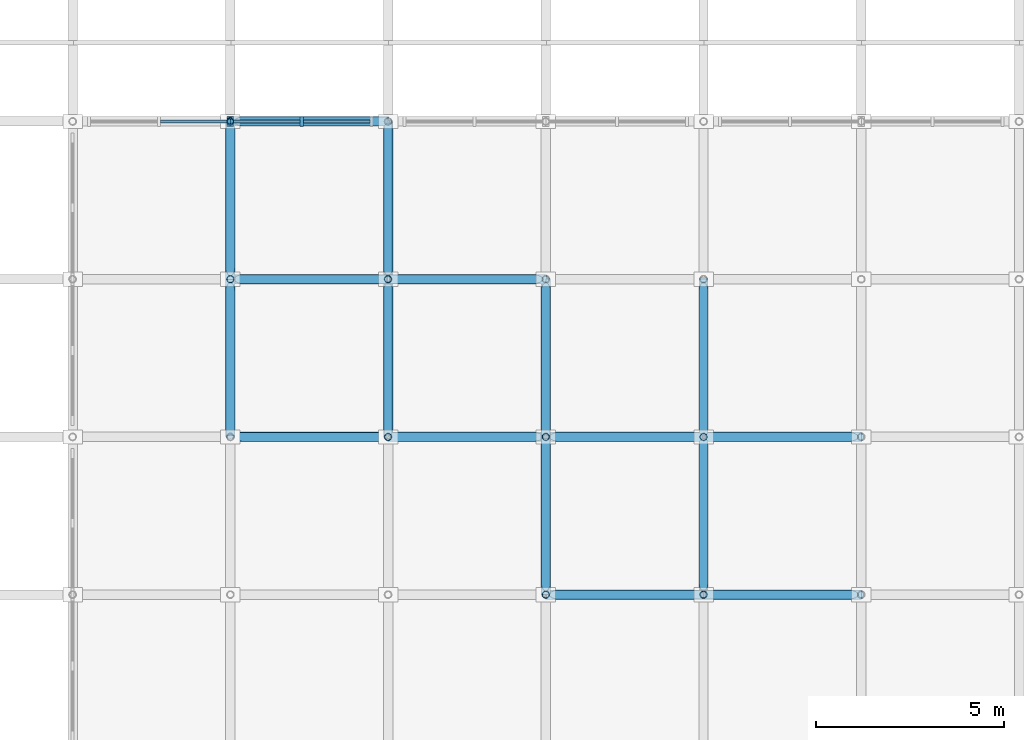
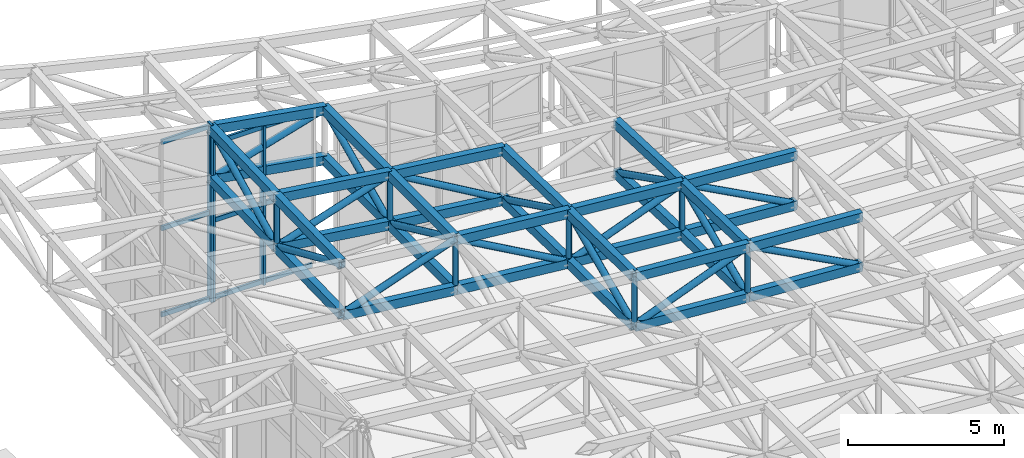
# One storey, part 33 of 111: 70 members, 2 elements without a shape of their own.
"""IFC4 building model written with IfcOpenShell, lengths in metres."""

from ifc_helpers import new_model, si_unit, direction, frame, origin, origin_2d, place, context, subcontext, project, spatial, rectangle, hollow_rectangle, hollow_circle, extrude, material, material_profile, profile_set, type_object, element, aggregate, save


model = new_model("IFC4")

# Units and contexts
model_context = context("Model", 3, precision=1e-05, world=origin(), true_north=direction((0.0, 1.0)))
body_context = subcontext(model_context, "Body", "Model", "MODEL_VIEW")
ifc_project = project(units=[si_unit("LENGTHUNIT", "METRE"), si_unit("AREAUNIT", "SQUARE_METRE"), si_unit("VOLUMEUNIT", "CUBIC_METRE"), si_unit("PLANEANGLEUNIT", "RADIAN"), si_unit("MASSUNIT", "GRAM", prefix="KILO")], contexts=[model_context])

# Site, building, storey
site_placement = place(None, origin())
site = spatial("IfcSite", under=ifc_project, at=site_placement, CompositionType="ELEMENT")
building_placement = place(site_placement, origin())
building = spatial("IfcBuilding", under=site, at=building_placement, Name="Cumbredor Promenade Congress Hotel", CompositionType="ELEMENT")
storey_placement = place(building_placement, frame((0.0, 0.0, 15.1201171875)))
storey = spatial("IfcBuildingStorey", under=building, at=storey_placement, Name="L04", CompositionType="ELEMENT", Elevation=15.1201171875)

# Curtain wall, member
ifc_material_1 = material(Name="Thermally broken anodized aluminium and low-E glass", Category="aluminium")
curtain_wall_type = type_object("IfcCurtainWallType", Name="Stepped Pavilion Clerestory Curtain Wall CW-06", PredefinedType="NOTDEFINED", material=ifc_material_1)
curtain_wall_1_placement = place(storey_placement, origin())
curtain_wall_1 = element("IfcCurtainWall", 1, at=curtain_wall_1_placement, inside=storey, type_object=curtain_wall_type, Name="Pre-Function and Breakout Meeting Forum N Glazed Clerestory 1", PredefinedType="NOTDEFINED")
ifc_material_2 = material(Name="Thermally broken anodized aluminium", Category="aluminium")
ifc_material_profile_1 = material_profile(ifc_material_2, rectangle(XDim=0.0849609375, YDim=0.260009765625, at=origin_2d()), Name="ALU MULLION CLERESTORY 85x260")
ifc_profile_set_1 = profile_set([ifc_material_profile_1], Name="Thermally broken anodized aluminium")
member_type_1 = type_object("IfcMemberType", Name="Curtain Wall Mullion ML-04", PredefinedType="MULLION", material=ifc_profile_set_1)
member_1_placement = place(storey_placement, frame((96.56005859375, 117.60009765625, -0.01806640625), z_axis=(0.0, 0.0, 1.0), x_axis=(1.0, 0.0, 0.0)))
member_1 = element("IfcMember", 2, at=member_1_placement, type_object=member_type_1, Name="Pre-Function and Breakout Meeting Forum N Glazed Clerestory 1 Mullion 3", PredefinedType="MULLION", context=body_context, shape_type="SweptSolid", body=[
    extrude(rectangle(XDim=0.0849609375, YDim=0.260009765625, at=origin_2d()), origin(), (0.0, 0.0, 1.0), 6.959228515625),
])

# Curtain wall, members
curtain_wall_2_placement = place(storey_placement, origin())
curtain_wall_2 = element("IfcCurtainWall", 3, at=curtain_wall_2_placement, inside=storey, type_object=curtain_wall_type, Name="Pre-Function and Breakout Meeting Forum N Glazed Clerestory 2", PredefinedType="NOTDEFINED")
member_2_placement = place(storey_placement, frame((96.639892578125, 117.60009765625, -0.01806640625), z_axis=(0.0, 0.0, 1.0), x_axis=(1.0, 0.0, 0.0)))
member_2 = element("IfcMember", 4, at=member_2_placement, type_object=member_type_1, Name="Pre-Function and Breakout Meeting Forum N Glazed Clerestory 2 Mullion 1", PredefinedType="MULLION", context=body_context, shape_type="SweptSolid", body=[
    extrude(rectangle(XDim=0.0849609375, YDim=0.260009765625, at=origin_2d()), origin(), (0.0, 0.0, 1.0), 6.243896484375),
])
member_3_placement = place(storey_placement, frame((98.5, 117.60009765625, -0.01806640625), z_axis=(0.0, 0.0, 1.0), x_axis=(1.0, 0.0, 0.0)))
member_3 = element("IfcMember", 5, at=member_3_placement, type_object=member_type_1, Name="Pre-Function and Breakout Meeting Forum N Glazed Clerestory 2 Mullion 2", PredefinedType="MULLION", context=body_context, shape_type="SweptSolid", body=[
    extrude(rectangle(XDim=0.0849609375, YDim=0.260009765625, at=origin_2d()), origin(), (0.0, 0.0, 1.0), 6.243896484375),
])

# Member
ifc_material_profile_2 = material_profile(ifc_material_2, rectangle(XDim=0.080078125, YDim=0.179931640625, at=origin_2d()), Name="ALU TRANSOM 80x180")
ifc_profile_set_2 = profile_set([ifc_material_profile_2], Name="Thermally broken anodized aluminium")
member_type_2 = type_object("IfcMemberType", Name="Curtain Wall Transom TR-03", PredefinedType="USERDEFINED", material=ifc_profile_set_2)
member_4_placement = place(storey_placement, frame((94.742431640625, 117.60009765625, 0.079833984375), z_axis=(1.0, 0.0, 0.0), x_axis=(0.0, 1.0, 0.0)))
member_4 = element("IfcMember", 6, at=member_4_placement, type_object=member_type_2, Name="Pre-Function and Breakout Meeting Forum N Glazed Clerestory 1 Transom 2.1", ObjectType="TRANSOM", PredefinedType="USERDEFINED", context=body_context, shape_type="SweptSolid", body=[
    extrude(rectangle(XDim=0.080078125, YDim=0.179931640625, at=origin_2d()), origin(), (0.0, 0.0, 1.0), 1.775146484375),
])

member_5_placement = place(storey_placement, frame((94.742431640625, 117.60009765625, 3.4599609375), z_axis=(1.0, 0.0, 0.0), x_axis=(0.0, 1.0, 0.0)))
member_5 = element("IfcMember", 7, at=member_5_placement, type_object=member_type_2, Name="Pre-Function and Breakout Meeting Forum N Glazed Clerestory 1 Transom 2.2", ObjectType="TRANSOM", PredefinedType="USERDEFINED", context=body_context, shape_type="SweptSolid", body=[
    extrude(rectangle(XDim=0.080078125, YDim=0.179931640625, at=origin_2d()), origin(), (0.0, 0.0, 1.0), 1.775146484375),
])

member_6_placement = place(storey_placement, frame((94.742431640625, 117.60009765625, 6.83984375), z_axis=(1.0, 0.0, 0.0), x_axis=(0.0, 1.0, 0.0)))
member_6 = element("IfcMember", 8, at=member_6_placement, type_object=member_type_2, Name="Pre-Function and Breakout Meeting Forum N Glazed Clerestory 1 Transom 2.3", ObjectType="TRANSOM", PredefinedType="USERDEFINED", context=body_context, shape_type="SweptSolid", body=[
    extrude(rectangle(XDim=0.080078125, YDim=0.179931640625, at=origin_2d()), origin(), (0.0, 0.0, 1.0), 1.775146484375),
])

aggregate(curtain_wall_1, [member_1, member_4, member_5, member_6])

member_7_placement = place(storey_placement, frame((96.6826171875, 117.60009765625, 0.079833984375), z_axis=(1.0, 0.0, 0.0), x_axis=(0.0, 1.0, 0.0)))
member_7 = element("IfcMember", 9, at=member_7_placement, type_object=member_type_2, Name="Pre-Function and Breakout Meeting Forum N Glazed Clerestory 2 Transom 1.1", ObjectType="TRANSOM", PredefinedType="USERDEFINED", context=body_context, shape_type="SweptSolid", body=[
    extrude(rectangle(XDim=0.080078125, YDim=0.179931640625, at=origin_2d()), origin(), (0.0, 0.0, 1.0), 1.77490234375),
])

member_8_placement = place(storey_placement, frame((96.6826171875, 117.60009765625, 3.10986328125), z_axis=(1.0, 0.0, 0.0), x_axis=(0.0, 1.0, 0.0)))
member_8 = element("IfcMember", 10, at=member_8_placement, type_object=member_type_2, Name="Pre-Function and Breakout Meeting Forum N Glazed Clerestory 2 Transom 1.2", ObjectType="TRANSOM", PredefinedType="USERDEFINED", context=body_context, shape_type="SweptSolid", body=[
    extrude(rectangle(XDim=0.080078125, YDim=0.179931640625, at=origin_2d()), origin(), (0.0, 0.0, 1.0), 1.77490234375),
])

member_9_placement = place(storey_placement, frame((96.6826171875, 117.60009765625, 6.1298828125), z_axis=(1.0, 0.0, 0.0), x_axis=(0.0, 1.0, 0.0)))
member_9 = element("IfcMember", 11, at=member_9_placement, type_object=member_type_2, Name="Pre-Function and Breakout Meeting Forum N Glazed Clerestory 2 Transom 1.3", ObjectType="TRANSOM", PredefinedType="USERDEFINED", context=body_context, shape_type="SweptSolid", body=[
    extrude(rectangle(XDim=0.080078125, YDim=0.179931640625, at=origin_2d()), origin(), (0.0, 0.0, 1.0), 1.77490234375),
])

member_10_placement = place(storey_placement, frame((98.54248046875, 117.60009765625, 0.079833984375), z_axis=(1.0, 0.0, 0.0), x_axis=(0.0, 1.0, 0.0)))
member_10 = element("IfcMember", 12, at=member_10_placement, type_object=member_type_2, Name="Pre-Function and Breakout Meeting Forum N Glazed Clerestory 2 Transom 2.1", ObjectType="TRANSOM", PredefinedType="USERDEFINED", context=body_context, shape_type="SweptSolid", body=[
    extrude(rectangle(XDim=0.080078125, YDim=0.179931640625, at=origin_2d()), origin(), (0.0, 0.0, 1.0), 1.77490234375),
])

member_11_placement = place(storey_placement, frame((98.54248046875, 117.60009765625, 3.10986328125), z_axis=(1.0, 0.0, 0.0), x_axis=(0.0, 1.0, 0.0)))
member_11 = element("IfcMember", 13, at=member_11_placement, type_object=member_type_2, Name="Pre-Function and Breakout Meeting Forum N Glazed Clerestory 2 Transom 2.2", ObjectType="TRANSOM", PredefinedType="USERDEFINED", context=body_context, shape_type="SweptSolid", body=[
    extrude(rectangle(XDim=0.080078125, YDim=0.179931640625, at=origin_2d()), origin(), (0.0, 0.0, 1.0), 1.77490234375),
])

member_12_placement = place(storey_placement, frame((98.54248046875, 117.60009765625, 6.1298828125), z_axis=(1.0, 0.0, 0.0), x_axis=(0.0, 1.0, 0.0)))
member_12 = element("IfcMember", 14, at=member_12_placement, type_object=member_type_2, Name="Pre-Function and Breakout Meeting Forum N Glazed Clerestory 2 Transom 2.3", ObjectType="TRANSOM", PredefinedType="USERDEFINED", context=body_context, shape_type="SweptSolid", body=[
    extrude(rectangle(XDim=0.080078125, YDim=0.179931640625, at=origin_2d()), origin(), (0.0, 0.0, 1.0), 1.77490234375),
])

aggregate(curtain_wall_2, [member_2, member_3, member_7, member_8, member_9, member_10, member_11, member_12])

# Members
ifc_material_3 = material(Name="Steel ASTM A500 Grade C", Category="steel")
ifc_material_profile_3 = material_profile(ifc_material_3, hollow_rectangle(XDim=0.25, YDim=0.35009765625, WallThickness=0.01611328125, at=origin_2d()), Name="HSS 350x250x16")
ifc_profile_set_3 = profile_set([ifc_material_profile_3], Name="Steel ASTM A500 Grade C")
member_type_3 = type_object("IfcMemberType", Name="Forum Roof Truss Chord", PredefinedType="CHORD", material=ifc_profile_set_3)
for number, where, z_axis, x_axis, name in (
    (15, (105.0, 105.0, 5.661865234375), (0.997178629164, 0.0, -0.075065181931), (0.0, 1.0, 0.0), "Pre-Function and Breakout Meeting Forum X Top Chord 5.7"),
    (16, (105.0, 105.0, 3.711669921875), (0.997182966423, 0.0, -0.075007542786), (0.0, 1.0, 0.0), "Pre-Function and Breakout Meeting Forum X Bottom Chord 5.7"),
):
    element("IfcMember", number, at=place(storey_placement, frame(where, z_axis=z_axis, x_axis=x_axis)), inside=storey, type_object=member_type_3, Name=name, PredefinedType="CHORD", context=body_context, shape_type="SweptSolid", body=[
        extrude(hollow_rectangle(XDim=0.25, YDim=0.35009765625, WallThickness=0.01611328125, at=origin_2d()), origin(), (0.0, 0.0, 1.0), 4.2119140625),
    ])
for number, where, z_axis, x_axis, name in (
    (17, (109.199951171875, 105.0, 5.345703125), (0.997980366164, 0.0, -0.063523135555), (0.0, 1.0, 0.0), "Pre-Function and Breakout Meeting Forum X Top Chord 6.7"),
    (18, (109.199951171875, 105.0, 3.395751953125), (0.997980366164, 0.0, -0.063523135555), (0.0, 1.0, 0.0), "Pre-Function and Breakout Meeting Forum X Bottom Chord 6.7"),
):
    element("IfcMember", number, at=place(storey_placement, frame(where, z_axis=z_axis, x_axis=x_axis)), inside=storey, type_object=member_type_3, Name=name, PredefinedType="CHORD", context=body_context, shape_type="SweptSolid", body=[
        extrude(hollow_rectangle(XDim=0.25, YDim=0.35009765625, WallThickness=0.01611328125, at=origin_2d()), origin(), (0.0, 0.0, 1.0), 4.20849609375),
    ])
member_13_placement = place(storey_placement, frame((96.60009765625, 109.199951171875, 4.5498046875), z_axis=(0.993701360609, 0.0, -0.112060724268), x_axis=(0.0, 1.0, 0.0)))
element("IfcMember", 19, at=member_13_placement, inside=storey, type_object=member_type_3, Name="Pre-Function and Breakout Meeting Forum X Bottom Chord 3.8", PredefinedType="CHORD", context=body_context, shape_type="SweptSolid", body=[
    extrude(hollow_rectangle(XDim=0.25, YDim=0.35009765625, WallThickness=0.01611328125, at=origin_2d()), origin(), (0.0, 0.0, 1.0), 4.2265625),
])
for number, where, z_axis, x_axis, name in (
    (20, (100.800048828125, 109.199951171875, 6.0263671875), (0.99507890994, 0.0, -0.099085634641), (0.0, 1.0, 0.0), "Pre-Function and Breakout Meeting Forum X Top Chord 4.8"),
    (21, (100.800048828125, 109.199951171875, 4.076171875), (0.995084611563, 0.0, -0.099028358716), (0.0, 1.0, 0.0), "Pre-Function and Breakout Meeting Forum X Bottom Chord 4.8"),
):
    element("IfcMember", number, at=place(storey_placement, frame(where, z_axis=z_axis, x_axis=x_axis)), inside=storey, type_object=member_type_3, Name=name, PredefinedType="CHORD", context=body_context, shape_type="SweptSolid", body=[
        extrude(hollow_rectangle(XDim=0.25, YDim=0.35009765625, WallThickness=0.01611328125, at=origin_2d()), origin(), (0.0, 0.0, 1.0), 4.220703125),
    ])
for number, where, z_axis, x_axis, name in (
    (22, (105.0, 109.199951171875, 5.608154296875), (0.996294936381, 0.0, -0.086002324044), (0.0, 1.0, 0.0), "Pre-Function and Breakout Meeting Forum X Top Chord 5.8"),
    (23, (105.0, 109.199951171875, 3.658203125), (0.996294936381, 0.0, -0.086002324044), (0.0, 1.0, 0.0), "Pre-Function and Breakout Meeting Forum X Bottom Chord 5.8"),
):
    element("IfcMember", number, at=place(storey_placement, frame(where, z_axis=z_axis, x_axis=x_axis)), inside=storey, type_object=member_type_3, Name=name, PredefinedType="CHORD", context=body_context, shape_type="SweptSolid", body=[
        extrude(hollow_rectangle(XDim=0.25, YDim=0.35009765625, WallThickness=0.01611328125, at=origin_2d()), origin(), (0.0, 0.0, 1.0), 4.215576171875),
    ])
for number, where, z_axis, x_axis, name in (
    (24, (109.199951171875, 109.199951171875, 5.24560546875), (0.997345340249, 0.0, -0.072816703328), (0.0, 1.0, 0.0), "Pre-Function and Breakout Meeting Forum X Top Chord 6.8"),
    (25, (109.199951171875, 109.199951171875, 3.295654296875), (0.997345340249, 0.0, -0.072816703328), (0.0, 1.0, 0.0), "Pre-Function and Breakout Meeting Forum X Bottom Chord 6.8"),
):
    element("IfcMember", number, at=place(storey_placement, frame(where, z_axis=z_axis, x_axis=x_axis)), inside=storey, type_object=member_type_3, Name=name, PredefinedType="CHORD", context=body_context, shape_type="SweptSolid", body=[
        extrude(hollow_rectangle(XDim=0.25, YDim=0.35009765625, WallThickness=0.01611328125, at=origin_2d()), origin(), (0.0, 0.0, 1.0), 4.211181640625),
    ])
for number, where, z_axis, x_axis, name in (
    (26, (96.60009765625, 113.39990234375, 6.60009765625), (0.99078279409, 0.0, -0.135460159955), (0.0, 1.0, 0.0), "Pre-Function and Breakout Meeting Forum X Top Chord 3.9"),
    (27, (96.60009765625, 113.39990234375, 4.650146484375), (0.990775062808, 0.0, -0.135516696087), (0.0, 1.0, 0.0), "Pre-Function and Breakout Meeting Forum X Bottom Chord 3.9"),
):
    element("IfcMember", number, at=place(storey_placement, frame(where, z_axis=z_axis, x_axis=x_axis)), inside=storey, type_object=member_type_3, Name=name, PredefinedType="CHORD", context=body_context, shape_type="SweptSolid", body=[
        extrude(hollow_rectangle(XDim=0.25, YDim=0.35009765625, WallThickness=0.01611328125, at=origin_2d()), origin(), (0.0, 0.0, 1.0), 4.239013671875),
    ])
for number, where, z_axis, x_axis, name in (
    (28, (100.800048828125, 113.39990234375, 6.02587890625), (0.992790285705, 0.0, -0.119864292473), (0.0, 1.0, 0.0), "Pre-Function and Breakout Meeting Forum X Top Chord 4.9"),
    (29, (100.800048828125, 113.39990234375, 4.07568359375), (0.992790285705, 0.0, -0.119864292473), (0.0, 1.0, 0.0), "Pre-Function and Breakout Meeting Forum X Bottom Chord 4.9"),
):
    element("IfcMember", number, at=place(storey_placement, frame(where, z_axis=z_axis, x_axis=x_axis)), inside=storey, type_object=member_type_3, Name=name, PredefinedType="CHORD", context=body_context, shape_type="SweptSolid", body=[
        extrude(hollow_rectangle(XDim=0.25, YDim=0.35009765625, WallThickness=0.01611328125, at=origin_2d()), origin(), (0.0, 0.0, 1.0), 4.23046875),
    ])
for number, where, z_axis, x_axis, name in (
    (30, (96.60009765625, 117.60009765625, 6.740234375), (0.985803819477, 0.0, -0.167901249263), (0.0, 1.0, 0.0), "Pre-Function and Breakout Meeting Forum X Top Chord 3.10"),
    (31, (96.60009765625, 117.60009765625, 4.790283203125), (0.98579433314, 0.0, -0.167956937187), (0.0, 1.0, 0.0), "Pre-Function and Breakout Meeting Forum X Bottom Chord 3.10"),
):
    element("IfcMember", number, at=place(storey_placement, frame(where, z_axis=z_axis, x_axis=x_axis)), inside=storey, type_object=member_type_3, Name=name, PredefinedType="CHORD", context=body_context, shape_type="SweptSolid", body=[
        extrude(hollow_rectangle(XDim=0.25, YDim=0.35009765625, WallThickness=0.01611328125, at=origin_2d()), origin(), (0.0, 0.0, 1.0), 4.260498046875),
    ])
for number, where, z_axis, x_axis, name in (
    (32, (96.60009765625, 109.199951171875, 6.5), (0.0, 0.99971611374, 0.023826286498), (-1.0, 0.0, 0.0), "Pre-Function and Breakout Meeting Forum Y Top Chord 3.8"),
    (33, (96.60009765625, 109.199951171875, 4.5498046875), (0.0, 0.999714727834, 0.023884366281), (-1.0, 0.0, 0.0), "Pre-Function and Breakout Meeting Forum Y Bottom Chord 3.8"),
):
    element("IfcMember", number, at=place(storey_placement, frame(where, z_axis=z_axis, x_axis=x_axis)), inside=storey, type_object=member_type_3, Name=name, PredefinedType="CHORD", context=body_context, shape_type="SweptSolid", body=[
        extrude(hollow_rectangle(XDim=0.25, YDim=0.35009765625, WallThickness=0.01611328125, at=origin_2d()), origin(), (0.0, 0.0, 1.0), 4.201171875),
    ])
for number, where, z_axis, x_axis, name in (
    (34, (96.60009765625, 113.39990234375, 6.60009765625), (0.0, 0.999443874869, 0.033345779131), (-1.0, 0.0, 0.0), "Pre-Function and Breakout Meeting Forum Y Top Chord 3.9"),
    (35, (96.60009765625, 113.39990234375, 4.650146484375), (0.0, 0.999443874869, 0.033345779131), (-1.0, 0.0, 0.0), "Pre-Function and Breakout Meeting Forum Y Bottom Chord 3.9"),
):
    element("IfcMember", number, at=place(storey_placement, frame(where, z_axis=z_axis, x_axis=x_axis)), inside=storey, type_object=member_type_3, Name=name, PredefinedType="CHORD", context=body_context, shape_type="SweptSolid", body=[
        extrude(hollow_rectangle(XDim=0.25, YDim=0.35009765625, WallThickness=0.01611328125, at=origin_2d()), origin(), (0.0, 0.0, 1.0), 4.20263671875),
    ])
for number, where, z_axis, x_axis, name in (
    (36, (100.800048828125, 109.199951171875, 6.0263671875), (0.0, 0.999999993242, -0.000116258791), (-1.0, 0.0, 0.0), "Pre-Function and Breakout Meeting Forum Y Top Chord 4.8"),
    (37, (100.800048828125, 109.199951171875, 4.076171875), (0.0, 0.999999993242, -0.000116258791), (-1.0, 0.0, 0.0), "Pre-Function and Breakout Meeting Forum Y Bottom Chord 4.8"),
):
    element("IfcMember", number, at=place(storey_placement, frame(where, z_axis=z_axis, x_axis=x_axis)), inside=storey, type_object=member_type_3, Name=name, PredefinedType="CHORD", context=body_context, shape_type="SweptSolid", body=[
        extrude(hollow_rectangle(XDim=0.25, YDim=0.35009765625, WallThickness=0.01611328125, at=origin_2d()), origin(), (0.0, 0.0, 1.0), 4.199951171875),
    ])
for number, where, z_axis, x_axis, name in (
    (38, (100.800048828125, 113.39990234375, 6.02587890625), (0.0, 0.999999972971, -0.000232504063), (-1.0, 0.0, 0.0), "Pre-Function and Breakout Meeting Forum Y Top Chord 4.9"),
    (39, (100.800048828125, 113.39990234375, 4.07568359375), (0.0, 0.999999972971, -0.000232504063), (-1.0, 0.0, 0.0), "Pre-Function and Breakout Meeting Forum Y Bottom Chord 4.9"),
    (40, (105.0, 105.0, 5.661865234375), (0.0, 0.999918237583, -0.012787421512), (-1.0, 0.0, 0.0), "Pre-Function and Breakout Meeting Forum Y Top Chord 5.7"),
    (41, (105.0, 105.0, 3.711669921875), (0.0, 0.999918979098, -0.012729306308), (-1.0, 0.0, 0.0), "Pre-Function and Breakout Meeting Forum Y Bottom Chord 5.7"),
):
    element("IfcMember", number, at=place(storey_placement, frame(where, z_axis=z_axis, x_axis=x_axis)), inside=storey, type_object=member_type_3, Name=name, PredefinedType="CHORD", context=body_context, shape_type="SweptSolid", body=[
        extrude(hollow_rectangle(XDim=0.25, YDim=0.35009765625, WallThickness=0.01611328125, at=origin_2d()), origin(), (0.0, 0.0, 1.0), 4.2001953125),
    ])
for number, where, z_axis, x_axis, name in (
    (42, (105.0, 109.199951171875, 5.608154296875), (0.0, 0.999773756353, -0.021270545534), (-1.0, 0.0, 0.0), "Pre-Function and Breakout Meeting Forum Y Top Chord 5.8"),
    (43, (105.0, 109.199951171875, 3.658203125), (0.0, 0.999772518783, -0.021328635377), (-1.0, 0.0, 0.0), "Pre-Function and Breakout Meeting Forum Y Bottom Chord 5.8"),
):
    element("IfcMember", number, at=place(storey_placement, frame(where, z_axis=z_axis, x_axis=x_axis)), inside=storey, type_object=member_type_3, Name=name, PredefinedType="CHORD", context=body_context, shape_type="SweptSolid", body=[
        extrude(hollow_rectangle(XDim=0.25, YDim=0.35009765625, WallThickness=0.01611328125, at=origin_2d()), origin(), (0.0, 0.0, 1.0), 4.200927734375),
    ])
for number, where, z_axis, x_axis, name in (
    (44, (109.199951171875, 105.0, 5.345703125), (0.0, 0.99971611374, -0.023826286498), (-1.0, 0.0, 0.0), "Pre-Function and Breakout Meeting Forum Y Top Chord 6.7"),
    (45, (109.199951171875, 105.0, 3.395751953125), (0.0, 0.99971611374, -0.023826286498), (-1.0, 0.0, 0.0), "Pre-Function and Breakout Meeting Forum Y Bottom Chord 6.7"),
):
    element("IfcMember", number, at=place(storey_placement, frame(where, z_axis=z_axis, x_axis=x_axis)), inside=storey, type_object=member_type_3, Name=name, PredefinedType="CHORD", context=body_context, shape_type="SweptSolid", body=[
        extrude(hollow_rectangle(XDim=0.25, YDim=0.35009765625, WallThickness=0.01611328125, at=origin_2d()), origin(), (0.0, 0.0, 1.0), 4.201171875),
    ])
for number, where, z_axis, x_axis, name in (
    (46, (109.199951171875, 109.199951171875, 5.24560546875), (0.0, 0.999215091886, -0.039613131004), (-1.0, 0.0, 0.0), "Pre-Function and Breakout Meeting Forum Y Top Chord 6.8"),
    (47, (109.199951171875, 109.199951171875, 3.295654296875), (0.0, 0.999212791134, -0.039671123429), (-1.0, 0.0, 0.0), "Pre-Function and Breakout Meeting Forum Y Bottom Chord 6.8"),
):
    element("IfcMember", number, at=place(storey_placement, frame(where, z_axis=z_axis, x_axis=x_axis)), inside=storey, type_object=member_type_3, Name=name, PredefinedType="CHORD", context=body_context, shape_type="SweptSolid", body=[
        extrude(hollow_rectangle(XDim=0.25, YDim=0.35009765625, WallThickness=0.01611328125, at=origin_2d()), origin(), (0.0, 0.0, 1.0), 4.203369140625),
    ])
ifc_material_profile_4 = material_profile(ifc_material_3, hollow_circle(Radius=0.122314453125, WallThickness=0.012451171875, at=origin_2d()), Name="CHS 244.5x12.5")
ifc_profile_set_4 = profile_set([ifc_material_profile_4], Name="Steel ASTM A500 Grade C")
member_type_4 = type_object("IfcMemberType", Name="Space Frame Web Diagonal D2", PredefinedType="BRACE", material=ifc_profile_set_4)
member_14_placement = place(storey_placement, frame((105.0, 105.0, 3.711669921875), z_axis=(0.931950777982, 0.0, 0.362584814104), x_axis=(0.0, 1.0, 0.0)))
element("IfcMember", 48, at=member_14_placement, inside=storey, type_object=member_type_4, Name="Pre-Function and Breakout Meeting Forum X Web Diagonal 5.7", PredefinedType="BRACE", context=body_context, shape_type="SweptSolid", body=[
    extrude(hollow_circle(Radius=0.122314453125, WallThickness=0.012451171875, at=origin_2d()), origin(), (0.0, 0.0, 1.0), 4.506591796875),
])
member_15_placement = place(storey_placement, frame((109.199951171875, 105.0, 5.345703125), z_axis=(0.884328749548, 0.0, -0.466864715654), x_axis=(0.0, 1.0, 0.0)))
element("IfcMember", 49, at=member_15_placement, inside=storey, type_object=member_type_4, Name="Pre-Function and Breakout Meeting Forum X Web Diagonal 6.7", PredefinedType="BRACE", context=body_context, shape_type="SweptSolid", body=[
    extrude(hollow_circle(Radius=0.122314453125, WallThickness=0.012451171875, at=origin_2d()), origin(), (0.0, 0.0, 1.0), 4.749267578125),
])
member_16_placement = place(storey_placement, frame((96.60009765625, 109.199951171875, 4.5498046875), z_axis=(0.943396618832, 0.0, 0.331666729681), x_axis=(0.0, 1.0, 0.0)))
element("IfcMember", 50, at=member_16_placement, inside=storey, type_object=member_type_4, Name="Pre-Function and Breakout Meeting Forum X Web Diagonal 3.8", PredefinedType="BRACE", context=body_context, shape_type="SweptSolid", body=[
    extrude(hollow_circle(Radius=0.122314453125, WallThickness=0.012451171875, at=origin_2d()), origin(), (0.0, 0.0, 1.0), 4.451904296875),
])
member_17_placement = place(storey_placement, frame((100.800048828125, 109.199951171875, 6.0263671875), z_axis=(0.871070680994, 0.0, -0.491157682128), x_axis=(0.0, 1.0, 0.0)))
element("IfcMember", 51, at=member_17_placement, inside=storey, type_object=member_type_4, Name="Pre-Function and Breakout Meeting Forum X Web Diagonal 4.8", PredefinedType="BRACE", context=body_context, shape_type="SweptSolid", body=[
    extrude(hollow_circle(Radius=0.122314453125, WallThickness=0.012451171875, at=origin_2d()), origin(), (0.0, 0.0, 1.0), 4.821533203125),
])
member_18_placement = place(storey_placement, frame((105.0, 109.199951171875, 3.658203125), z_axis=(0.935416555501, 0.0, 0.353547546583), x_axis=(0.0, 1.0, 0.0)))
element("IfcMember", 52, at=member_18_placement, inside=storey, type_object=member_type_4, Name="Pre-Function and Breakout Meeting Forum X Web Diagonal 5.8", PredefinedType="BRACE", context=body_context, shape_type="SweptSolid", body=[
    extrude(hollow_circle(Radius=0.122314453125, WallThickness=0.012451171875, at=origin_2d()), origin(), (0.0, 0.0, 1.0), 4.489990234375),
])
member_19_placement = place(storey_placement, frame((109.199951171875, 109.199951171875, 5.24560546875), z_axis=(0.880901526839, 0.0, -0.473299588012), x_axis=(0.0, 1.0, 0.0)))
element("IfcMember", 53, at=member_19_placement, inside=storey, type_object=member_type_4, Name="Pre-Function and Breakout Meeting Forum X Web Diagonal 6.8", PredefinedType="BRACE", context=body_context, shape_type="SweptSolid", body=[
    extrude(hollow_circle(Radius=0.122314453125, WallThickness=0.012451171875, at=origin_2d()), origin(), (0.0, 0.0, 1.0), 4.767822265625),
])
member_20_placement = place(storey_placement, frame((96.60009765625, 113.39990234375, 4.650146484375), z_axis=(0.950316635251, 0.0, 0.3112849061), x_axis=(0.0, 1.0, 0.0)))
element("IfcMember", 54, at=member_20_placement, inside=storey, type_object=member_type_4, Name="Pre-Function and Breakout Meeting Forum X Web Diagonal 3.9", PredefinedType="BRACE", context=body_context, shape_type="SweptSolid", body=[
    extrude(hollow_circle(Radius=0.122314453125, WallThickness=0.012451171875, at=origin_2d()), origin(), (0.0, 0.0, 1.0), 4.41943359375),
])
member_21_placement = place(storey_placement, frame((100.800048828125, 113.39990234375, 6.02587890625), z_axis=(0.863124886965, 0.0, -0.50499052417), x_axis=(0.0, 1.0, 0.0)))
element("IfcMember", 55, at=member_21_placement, inside=storey, type_object=member_type_4, Name="Pre-Function and Breakout Meeting Forum X Web Diagonal 4.9", PredefinedType="BRACE", context=body_context, shape_type="SweptSolid", body=[
    extrude(hollow_circle(Radius=0.122314453125, WallThickness=0.012451171875, at=origin_2d()), origin(), (0.0, 0.0, 1.0), 4.865966796875),
])
member_22_placement = place(storey_placement, frame((96.60009765625, 117.60009765625, 4.790283203125), z_axis=(0.959406341943, 0.0, 0.282027429588), x_axis=(0.0, 1.0, 0.0)))
element("IfcMember", 56, at=member_22_placement, inside=storey, type_object=member_type_4, Name="Pre-Function and Breakout Meeting Forum X Web Diagonal 3.10", PredefinedType="BRACE", context=body_context, shape_type="SweptSolid", body=[
    extrude(hollow_circle(Radius=0.122314453125, WallThickness=0.012451171875, at=origin_2d()), origin(), (0.0, 0.0, 1.0), 4.377685546875),
])
member_23_placement = place(storey_placement, frame((96.60009765625, 109.199951171875, 6.5), z_axis=(0.0, 0.915164359743, -0.403080878554), x_axis=(-1.0, 0.0, 0.0)))
element("IfcMember", 57, at=member_23_placement, inside=storey, type_object=member_type_4, Name="Pre-Function and Breakout Meeting Forum Y Web Diagonal 3.8", PredefinedType="BRACE", context=body_context, shape_type="SweptSolid", body=[
    extrude(hollow_circle(Radius=0.122314453125, WallThickness=0.012451171875, at=origin_2d()), origin(), (0.0, 0.0, 1.0), 4.58935546875),
])
member_24_placement = place(storey_placement, frame((96.60009765625, 113.39990234375, 4.650146484375), z_axis=(0.0, 0.895279001982, 0.445505901881), x_axis=(-1.0, 0.0, 0.0)))
element("IfcMember", 58, at=member_24_placement, inside=storey, type_object=member_type_4, Name="Pre-Function and Breakout Meeting Forum Y Web Diagonal 3.9", PredefinedType="BRACE", context=body_context, shape_type="SweptSolid", body=[
    extrude(hollow_circle(Radius=0.122314453125, WallThickness=0.012451171875, at=origin_2d()), origin(), (0.0, 0.0, 1.0), 4.69140625),
])
member_25_placement = place(storey_placement, frame((100.800048828125, 109.199951171875, 6.0263671875), z_axis=(0.0, 0.906950706517, -0.421236769463), x_axis=(-1.0, 0.0, 0.0)))
element("IfcMember", 59, at=member_25_placement, inside=storey, type_object=member_type_4, Name="Pre-Function and Breakout Meeting Forum Y Web Diagonal 4.8", PredefinedType="BRACE", context=body_context, shape_type="SweptSolid", body=[
    extrude(hollow_circle(Radius=0.122314453125, WallThickness=0.012451171875, at=origin_2d()), origin(), (0.0, 0.0, 1.0), 4.630859375),
])
member_26_placement = place(storey_placement, frame((100.800048828125, 113.39990234375, 4.07568359375), z_axis=(0.0, 0.907080877393, 0.420956389509), x_axis=(-1.0, 0.0, 0.0)))
element("IfcMember", 60, at=member_26_placement, inside=storey, type_object=member_type_4, Name="Pre-Function and Breakout Meeting Forum Y Web Diagonal 4.9", PredefinedType="BRACE", context=body_context, shape_type="SweptSolid", body=[
    extrude(hollow_circle(Radius=0.122314453125, WallThickness=0.012451171875, at=origin_2d()), origin(), (0.0, 0.0, 1.0), 4.63037109375),
])
member_27_placement = place(storey_placement, frame((105.0, 105.0, 3.711669921875), z_axis=(0.0, 0.911392394281, 0.4115384595), x_axis=(-1.0, 0.0, 0.0)))
element("IfcMember", 61, at=member_27_placement, inside=storey, type_object=member_type_4, Name="Pre-Function and Breakout Meeting Forum Y Web Diagonal 5.7", PredefinedType="BRACE", context=body_context, shape_type="SweptSolid", body=[
    extrude(hollow_circle(Radius=0.122314453125, WallThickness=0.012451171875, at=origin_2d()), origin(), (0.0, 0.0, 1.0), 4.6083984375),
])
member_28_placement = place(storey_placement, frame((105.0, 109.199951171875, 5.608154296875), z_axis=(0.0, 0.899543971059, -0.436830223463), x_axis=(-1.0, 0.0, 0.0)))
element("IfcMember", 62, at=member_28_placement, inside=storey, type_object=member_type_4, Name="Pre-Function and Breakout Meeting Forum Y Web Diagonal 5.8", PredefinedType="BRACE", context=body_context, shape_type="SweptSolid", body=[
    extrude(hollow_circle(Radius=0.122314453125, WallThickness=0.012451171875, at=origin_2d()), origin(), (0.0, 0.0, 1.0), 4.6689453125),
])
member_29_placement = place(storey_placement, frame((109.199951171875, 105.0, 3.395751953125), z_axis=(0.0, 0.915164359743, 0.403080878554), x_axis=(-1.0, 0.0, 0.0)))
element("IfcMember", 63, at=member_29_placement, inside=storey, type_object=member_type_4, Name="Pre-Function and Breakout Meeting Forum Y Web Diagonal 6.7", PredefinedType="BRACE", context=body_context, shape_type="SweptSolid", body=[
    extrude(hollow_circle(Radius=0.122314453125, WallThickness=0.012451171875, at=origin_2d()), origin(), (0.0, 0.0, 1.0), 4.58935546875),
])
member_30_placement = place(storey_placement, frame((109.199951171875, 109.199951171875, 5.24560546875), z_axis=(0.0, 0.893000345184, -0.450055978187), x_axis=(-1.0, 0.0, 0.0)))
element("IfcMember", 64, at=member_30_placement, inside=storey, type_object=member_type_4, Name="Pre-Function and Breakout Meeting Forum Y Web Diagonal 6.8", PredefinedType="BRACE", context=body_context, shape_type="SweptSolid", body=[
    extrude(hollow_circle(Radius=0.122314453125, WallThickness=0.012451171875, at=origin_2d()), origin(), (0.0, 0.0, 1.0), 4.703125),
])
ifc_material_profile_5 = material_profile(ifc_material_3, hollow_circle(Radius=0.096923828125, WallThickness=0.010009765625, at=origin_2d()), Name="CHS 193.7x10")
ifc_profile_set_5 = profile_set([ifc_material_profile_5], Name="Steel ASTM A500 Grade C")
member_type_5 = type_object("IfcMemberType", Name="Space Frame Web Post P1", PredefinedType="BRACE", material=ifc_profile_set_5)
for number, where, z_axis, x_axis, name in (
    (65, (96.60009765625, 113.39990234375, 4.650146484375), (0.0, 0.0, 1.0), (1.0, 0.0, 0.0), "Pre-Function and Breakout Meeting Forum Space Frame Web Post 3.9"),
    (66, (96.60009765625, 117.60009765625, 4.790283203125), (0.0, 0.0, 1.0), (1.0, 0.0, 0.0), "Pre-Function and Breakout Meeting Forum Space Frame Web Post 3.10"),
):
    element("IfcMember", number, at=place(storey_placement, frame(where, z_axis=z_axis, x_axis=x_axis)), inside=storey, type_object=member_type_5, Name=name, PredefinedType="BRACE", context=body_context, shape_type="SweptSolid", body=[
        extrude(hollow_circle(Radius=0.096923828125, WallThickness=0.010009765625, at=origin_2d()), origin(), (0.0, 0.0, 1.0), 1.949951171875),
    ])
for number, where, z_axis, x_axis, name in (
    (67, (100.800048828125, 109.199951171875, 4.076171875), (0.0, 0.0, 1.0), (1.0, 0.0, 0.0), "Pre-Function and Breakout Meeting Forum Space Frame Web Post 4.8"),
    (68, (100.800048828125, 113.39990234375, 4.07568359375), (0.0, 0.0, 1.0), (1.0, 0.0, 0.0), "Pre-Function and Breakout Meeting Forum Space Frame Web Post 4.9"),
    (69, (105.0, 105.0, 3.711669921875), (0.0, 0.0, 1.0), (1.0, 0.0, 0.0), "Pre-Function and Breakout Meeting Forum Space Frame Web Post 5.7"),
):
    element("IfcMember", number, at=place(storey_placement, frame(where, z_axis=z_axis, x_axis=x_axis)), inside=storey, type_object=member_type_5, Name=name, PredefinedType="BRACE", context=body_context, shape_type="SweptSolid", body=[
        extrude(hollow_circle(Radius=0.096923828125, WallThickness=0.010009765625, at=origin_2d()), origin(), (0.0, 0.0, 1.0), 1.9501953125),
    ])
for number, where, z_axis, x_axis, name in (
    (70, (105.0, 109.199951171875, 3.658203125), (0.0, 0.0, 1.0), (1.0, 0.0, 0.0), "Pre-Function and Breakout Meeting Forum Space Frame Web Post 5.8"),
    (71, (109.199951171875, 105.0, 3.395751953125), (0.0, 0.0, 1.0), (1.0, 0.0, 0.0), "Pre-Function and Breakout Meeting Forum Space Frame Web Post 6.7"),
    (72, (109.199951171875, 109.199951171875, 3.295654296875), (0.0, 0.0, 1.0), (1.0, 0.0, 0.0), "Pre-Function and Breakout Meeting Forum Space Frame Web Post 6.8"),
):
    element("IfcMember", number, at=place(storey_placement, frame(where, z_axis=z_axis, x_axis=x_axis)), inside=storey, type_object=member_type_5, Name=name, PredefinedType="BRACE", context=body_context, shape_type="SweptSolid", body=[
        extrude(hollow_circle(Radius=0.096923828125, WallThickness=0.010009765625, at=origin_2d()), origin(), (0.0, 0.0, 1.0), 1.949951171875),
    ])

save(model, "model.ifc")
